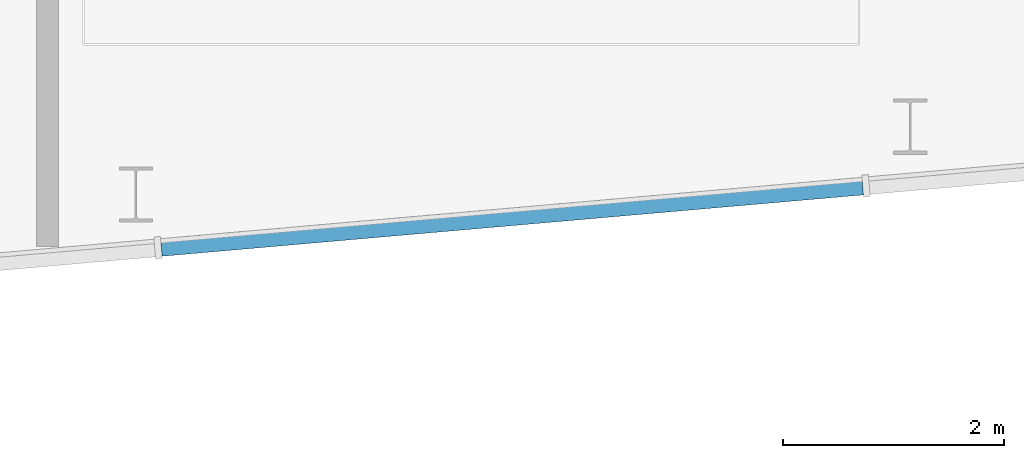
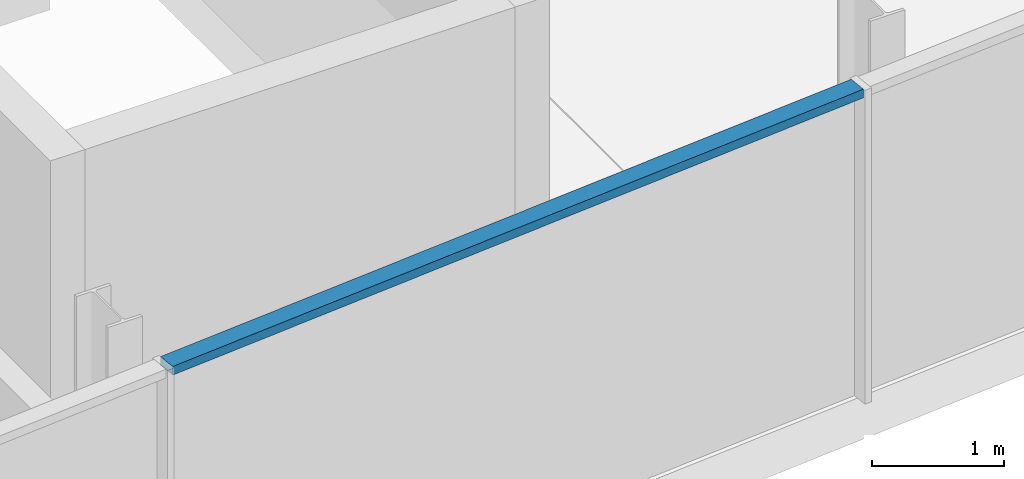
# One storey, part 3 of 10: 1 member, 1 element without a shape of its own.
"""IFC4 building model written with IfcOpenShell, lengths in metres."""

from ifc_helpers import new_model, si_unit, direction, frame, origin, origin_2d, place, context, subcontext, project, spatial, rectangle, extrude, material, material_profile, profile_set, type_object, element, aggregate, save


model = new_model("IFC4")

# Units and contexts
model_context = context("Model", 3, precision=1e-05, world=origin(), true_north=direction((0.0, 1.0)))
body_context = subcontext(model_context, "Body", "Model", "MODEL_VIEW")
ifc_project = project(units=[si_unit("LENGTHUNIT", "METRE"), si_unit("AREAUNIT", "SQUARE_METRE"), si_unit("VOLUMEUNIT", "CUBIC_METRE"), si_unit("PLANEANGLEUNIT", "RADIAN"), si_unit("MASSUNIT", "GRAM", prefix="KILO")], contexts=[model_context])

# Site, building, storey
site_placement = place(None, origin())
site = spatial("IfcSite", under=ifc_project, at=site_placement, CompositionType="ELEMENT")
building_placement = place(site_placement, origin())
building = spatial("IfcBuilding", under=site, at=building_placement, Name="Wharfspan Tower", CompositionType="ELEMENT")
storey_placement = place(building_placement, frame((0.0, 0.0, 267.5)))
storey = spatial("IfcBuildingStorey", under=building, at=storey_placement, Name="L68", CompositionType="ELEMENT", Elevation=267.5)

# Curtain wall, member
ifc_material = material(Name="Aluminium 6063-T6", Category="aluminium")
curtain_wall_type = type_object("IfcCurtainWallType", Name="CURTAIN WALL FACETED FRONT", PredefinedType="NOTDEFINED", material=ifc_material)
curtain_wall_placement = place(storey_placement, origin())
curtain_wall = element("IfcCurtainWall", 1, at=curtain_wall_placement, inside=storey, type_object=curtain_wall_type, Name="Crown curtain wall S2", PredefinedType="NOTDEFINED")
ifc_material_profile = material_profile(ifc_material, rectangle(XDim=0.159912, YDim=0.080078, at=origin_2d()))
ifc_profile_set = profile_set([ifc_material_profile], Name="Aluminium 6063-T6")
member_type = type_object("IfcMemberType", Name="TRANSOM FACETED FRONT 80x160", PredefinedType="USERDEFINED", material=ifc_profile_set)
member_placement = place(storey_placement, frame((65.22998, 7.682861, 2.852539), z_axis=(0.996195, 0.087156, 0.0), x_axis=(-0.087156, 0.996195, 0.0)))
member = element("IfcMember", 2, at=member_placement, type_object=member_type, Name="Crown curtain wall S2 transom 4", ObjectType="TRANSOM", PredefinedType="USERDEFINED", context=body_context, shape_type="SweptSolid", body=[
    extrude(rectangle(XDim=0.159912, YDim=0.080078, at=origin_2d()), origin(), (0.0, 0.0, 1.0), 6.364258),
])
aggregate(curtain_wall, [member])

save(model, "model.ifc")
